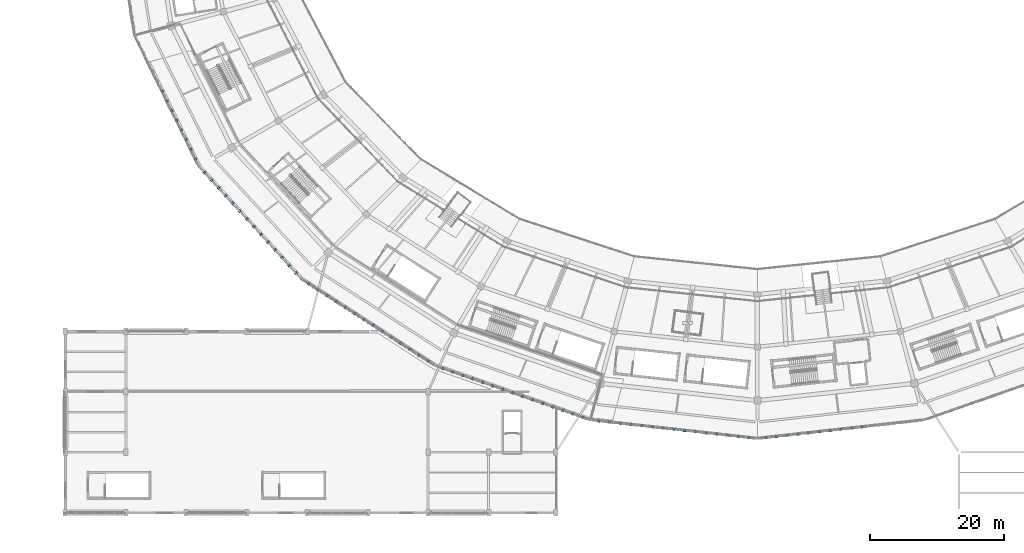
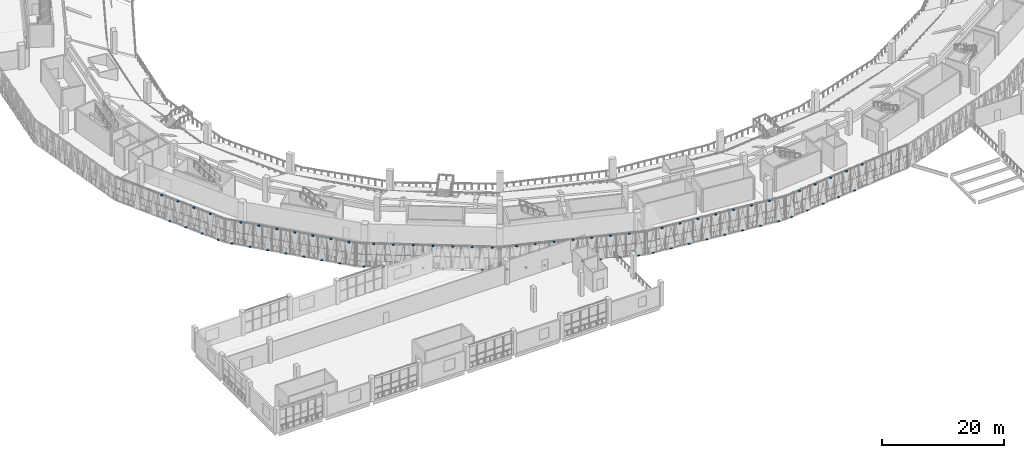
# One storey, part 105 of 152: 76 discrete accessories.
"""IFC4 building model written with IfcOpenShell, lengths in metres."""

from ifc_helpers import new_model, si_unit, direction, frame, origin, origin_2d, place, context, subcontext, project, spatial, rectangle, extrude, material, layer, layer_set, type_object, element, save


model = new_model("IFC4")

# Units and contexts
model_context = context("Model", 3, precision=1e-05, world=origin(), true_north=direction((0.0, 1.0)))
body_context = subcontext(model_context, "Body", "Model", "MODEL_VIEW")
ifc_project = project(units=[si_unit("LENGTHUNIT", "METRE"), si_unit("AREAUNIT", "SQUARE_METRE"), si_unit("VOLUMEUNIT", "CUBIC_METRE"), si_unit("PLANEANGLEUNIT", "RADIAN"), si_unit("MASSUNIT", "GRAM", prefix="KILO")], contexts=[model_context])

# Site, building, storey
site_placement = place(None, origin())
site = spatial("IfcSite", under=ifc_project, at=site_placement, CompositionType="ELEMENT")
building_placement = place(site_placement, origin())
building = spatial("IfcBuilding", under=site, at=building_placement, Name="Zevraka Park Crest Stadium", CompositionType="ELEMENT")
storey_placement = place(building_placement, frame((0.0, 0.0, 15.0)))
storey = spatial("IfcBuildingStorey", under=building, at=storey_placement, Name="L03", CompositionType="ELEMENT", Elevation=15.0)

# Discrete accessories
ifc_material = material(Name="Galvanised steel bracketry", Category="steel")
ifc_layer = layer(ifc_material, 0.1201171875)
ifc_layer_set = layer_set([ifc_layer], Name="Galvanised steel bracketry")
discrete_accessory_type = type_object("IfcDiscreteAccessoryType", Name="BRK01", PredefinedType="BRACKET", material=ifc_layer_set)
for number, where, z_axis, x_axis, name in (
    (1, (23.4130859375, 62.735107421875, 4.39990234375), (0.0, 0.0, 1.0), (0.440722679139, -0.897643314515, 0.0), "Bronze Screen Carrier Bracket BRK01 L03-13-6"),
    (2, (24.1201171875, 61.2939453125, -0.16015625), (0.0, 0.0, 1.0), (0.440722679139, -0.897643314515, 0.0), "Bronze Screen Carrier Bracket BRK01 L03-13-7"),
    (3, (24.827880859375, 59.85302734375, 4.39990234375), (0.0, 0.0, 1.0), (0.440722679139, -0.897643314515, 0.0), "Bronze Screen Carrier Bracket BRK01 L03-13-8"),
    (4, (25.534912109375, 58.4130859375, -0.16015625), (0.0, 0.0, 1.0), (0.440722679139, -0.897643314515, 0.0), "Bronze Screen Carrier Bracket BRK01 L03-13-9"),
    (5, (26.241943359375, 56.971923828125, 4.39990234375), (0.0, 0.0, 1.0), (0.440722679139, -0.897643314515, 0.0), "Bronze Screen Carrier Bracket BRK01 L03-13-10"),
    (6, (26.949951171875, 55.531982421875, -0.16015625), (0.0, 0.0, 1.0), (0.440722679139, -0.897643314515, 0.0), "Bronze Screen Carrier Bracket BRK01 L03-13-11"),
    (7, (27.656982421875, 54.091064453125, 4.39990234375), (0.0, 0.0, 1.0), (0.440722679139, -0.897643314515, 0.0), "Bronze Screen Carrier Bracket BRK01 L03-13-12"),
    (8, (28.364013671875, 52.64990234375, -0.16015625), (0.0, 0.0, 1.0), (0.440722679139, -0.897643314515, 0.0), "Bronze Screen Carrier Bracket BRK01 L03-13-13"),
    (9, (29.73193359375, 50.632080078125, -0.16015625), (0.0, 0.0, 1.0), (0.672754292556, -0.739865975598, 0.0), "Bronze Screen Carrier Bracket BRK01 L03-14-1"),
    (10, (30.778076171875, 49.48095703125, 4.39990234375), (0.0, 0.0, 1.0), (0.672754292556, -0.739865975598, 0.0), "Bronze Screen Carrier Bracket BRK01 L03-14-2"),
    (11, (31.824951171875, 48.330078125, -0.16015625), (0.0, 0.0, 1.0), (0.672754292556, -0.739865975598, 0.0), "Bronze Screen Carrier Bracket BRK01 L03-14-3"),
    (12, (32.87109375, 47.179931640625, 4.39990234375), (0.0, 0.0, 1.0), (0.672754292556, -0.739865975598, 0.0), "Bronze Screen Carrier Bracket BRK01 L03-14-4"),
    (13, (33.91796875, 46.029052734375, -0.16015625), (0.0, 0.0, 1.0), (0.672754292556, -0.739865975598, 0.0), "Bronze Screen Carrier Bracket BRK01 L03-14-5"),
    (14, (34.964111328125, 44.8779296875, 4.39990234375), (0.0, 0.0, 1.0), (0.672754292556, -0.739865975598, 0.0), "Bronze Screen Carrier Bracket BRK01 L03-14-6"),
    (15, (36.010986328125, 43.72705078125, -0.16015625), (0.0, 0.0, 1.0), (0.672754292556, -0.739865975598, 0.0), "Bronze Screen Carrier Bracket BRK01 L03-14-7"),
    (16, (37.056884765625, 42.576904296875, 4.39990234375), (0.0, 0.0, 1.0), (0.672754292556, -0.739865975598, 0.0), "Bronze Screen Carrier Bracket BRK01 L03-14-8"),
    (17, (38.10400390625, 41.426025390625, -0.16015625), (0.0, 0.0, 1.0), (0.672754292556, -0.739865975598, 0.0), "Bronze Screen Carrier Bracket BRK01 L03-14-9"),
    (18, (39.14990234375, 40.27490234375, 4.39990234375), (0.0, 0.0, 1.0), (0.672754292556, -0.739865975598, 0.0), "Bronze Screen Carrier Bracket BRK01 L03-14-10"),
    (19, (40.197021484375, 39.1240234375, -0.16015625), (0.0, 0.0, 1.0), (0.672754292556, -0.739865975598, 0.0), "Bronze Screen Carrier Bracket BRK01 L03-14-11"),
    (20, (41.242919921875, 37.97412109375, 4.39990234375), (0.0, 0.0, 1.0), (0.672754292556, -0.739865975598, 0.0), "Bronze Screen Carrier Bracket BRK01 L03-14-12"),
    (21, (42.2900390625, 36.822998046875, -0.16015625), (0.0, 0.0, 1.0), (0.672754292556, -0.739865975598, 0.0), "Bronze Screen Carrier Bracket BRK01 L03-14-13"),
    (22, (43.3359375, 35.672119140625, 4.39990234375), (0.0, 0.0, 1.0), (0.672754292556, -0.739865975598, 0.0), "Bronze Screen Carrier Bracket BRK01 L03-14-14"),
    (23, (45.2119140625, 34.0869140625, -0.16015625), (0.0, 0.0, 1.0), (0.839430209734, -0.543467499475, 0.0), "Bronze Screen Carrier Bracket BRK01 L03-15-1"),
    (24, (46.577880859375, 33.202880859375, 4.39990234375), (0.0, 0.0, 1.0), (0.839430209734, -0.543467499475, 0.0), "Bronze Screen Carrier Bracket BRK01 L03-15-2"),
    (25, (47.944091796875, 32.318115234375, -0.16015625), (0.0, 0.0, 1.0), (0.839430209734, -0.543467499475, 0.0), "Bronze Screen Carrier Bracket BRK01 L03-15-3"),
    (26, (49.31005859375, 31.43408203125, 4.39990234375), (0.0, 0.0, 1.0), (0.839430209734, -0.543467499475, 0.0), "Bronze Screen Carrier Bracket BRK01 L03-15-4"),
    (27, (50.677001953125, 30.549072265625, -0.16015625), (0.0, 0.0, 1.0), (0.839430209734, -0.543467499475, 0.0), "Bronze Screen Carrier Bracket BRK01 L03-15-5"),
    (28, (52.04296875, 29.6650390625, 4.39990234375), (0.0, 0.0, 1.0), (0.839430209734, -0.543467499475, 0.0), "Bronze Screen Carrier Bracket BRK01 L03-15-6"),
    (29, (53.408935546875, 28.780029296875, -0.16015625), (0.0, 0.0, 1.0), (0.839430209734, -0.543467499475, 0.0), "Bronze Screen Carrier Bracket BRK01 L03-15-7"),
    (30, (54.77490234375, 27.89599609375, 4.39990234375), (0.0, 0.0, 1.0), (0.839430209734, -0.543467499475, 0.0), "Bronze Screen Carrier Bracket BRK01 L03-15-8"),
    (31, (56.14111328125, 27.010986328125, -0.16015625), (0.0, 0.0, 1.0), (0.839430209734, -0.543467499475, 0.0), "Bronze Screen Carrier Bracket BRK01 L03-15-9"),
    (32, (57.507080078125, 26.126953125, 4.39990234375), (0.0, 0.0, 1.0), (0.839430209734, -0.543467499475, 0.0), "Bronze Screen Carrier Bracket BRK01 L03-15-10"),
    (33, (58.8740234375, 25.241943359375, -0.16015625), (0.0, 0.0, 1.0), (0.839430209734, -0.543467499475, 0.0), "Bronze Screen Carrier Bracket BRK01 L03-15-11"),
    (34, (60.239990234375, 24.35791015625, 4.39990234375), (0.0, 0.0, 1.0), (0.839430209734, -0.543467499475, 0.0), "Bronze Screen Carrier Bracket BRK01 L03-15-12"),
    (35, (61.60595703125, 23.472900390625, -0.16015625), (0.0, 0.0, 1.0), (0.839430209734, -0.543467499475, 0.0), "Bronze Screen Carrier Bracket BRK01 L03-15-13"),
    (36, (62.971923828125, 22.589111328125, 4.39990234375), (0.0, 0.0, 1.0), (0.839430209734, -0.543467499475, 0.0), "Bronze Screen Carrier Bracket BRK01 L03-15-14"),
    (37, (65.18798828125, 21.5009765625, -0.16015625), (0.0, 0.0, 1.0), (0.944031464141, -0.329855414859, 0.0), "Bronze Screen Carrier Bracket BRK01 L03-16-1"),
    (38, (66.675048828125, 20.98095703125, 4.39990234375), (0.0, 0.0, 1.0), (0.944031464141, -0.329855414859, 0.0), "Bronze Screen Carrier Bracket BRK01 L03-16-2"),
    (39, (68.162109375, 20.4609375, -0.16015625), (0.0, 0.0, 1.0), (0.944031464141, -0.329855414859, 0.0), "Bronze Screen Carrier Bracket BRK01 L03-16-3"),
    (40, (69.64892578125, 19.94189453125, 4.39990234375), (0.0, 0.0, 1.0), (0.944031464141, -0.329855414859, 0.0), "Bronze Screen Carrier Bracket BRK01 L03-16-4"),
    (41, (71.135986328125, 19.422119140625, -0.16015625), (0.0, 0.0, 1.0), (0.944031464141, -0.329855414859, 0.0), "Bronze Screen Carrier Bracket BRK01 L03-16-5"),
    (42, (72.623046875, 18.902099609375, 4.39990234375), (0.0, 0.0, 1.0), (0.944031464141, -0.329855414859, 0.0), "Bronze Screen Carrier Bracket BRK01 L03-16-6"),
    (43, (74.110107421875, 18.383056640625, -0.16015625), (0.0, 0.0, 1.0), (0.944031464141, -0.329855414859, 0.0), "Bronze Screen Carrier Bracket BRK01 L03-16-7"),
    (44, (75.596923828125, 17.863037109375, 4.39990234375), (0.0, 0.0, 1.0), (0.944031464141, -0.329855414859, 0.0), "Bronze Screen Carrier Bracket BRK01 L03-16-8"),
    (45, (77.0830078125, 17.343017578125, -0.16015625), (0.0, 0.0, 1.0), (0.944031464141, -0.329855414859, 0.0), "Bronze Screen Carrier Bracket BRK01 L03-16-9"),
    (46, (78.570068359375, 16.823974609375, 4.39990234375), (0.0, 0.0, 1.0), (0.944031464141, -0.329855414859, 0.0), "Bronze Screen Carrier Bracket BRK01 L03-16-10"),
    (47, (80.056884765625, 16.303955078125, -0.16015625), (0.0, 0.0, 1.0), (0.944031464141, -0.329855414859, 0.0), "Bronze Screen Carrier Bracket BRK01 L03-16-11"),
    (48, (81.5439453125, 15.783935546875, 4.39990234375), (0.0, 0.0, 1.0), (0.944031464141, -0.329855414859, 0.0), "Bronze Screen Carrier Bracket BRK01 L03-16-12"),
    (49, (83.031005859375, 15.264892578125, -0.16015625), (0.0, 0.0, 1.0), (0.944031464141, -0.329855414859, 0.0), "Bronze Screen Carrier Bracket BRK01 L03-16-13"),
    (50, (84.51806640625, 14.7451171875, 4.39990234375), (0.0, 0.0, 1.0), (0.944031464141, -0.329855414859, 0.0), "Bronze Screen Carrier Bracket BRK01 L03-16-14"),
    (51, (86.0048828125, 14.22509765625, -0.16015625), (0.0, 0.0, 1.0), (0.944031464141, -0.329855414859, 0.0), "Bronze Screen Carrier Bracket BRK01 L03-16-15"),
    (52, (88.406005859375, 13.681884765625, -0.16015625), (0.0, 0.0, 1.0), (0.993884104238, -0.110428199945, 0.0), "Bronze Screen Carrier Bracket BRK01 L03-17-1"),
    (53, (90.001953125, 13.50390625, 4.39990234375), (0.0, 0.0, 1.0), (0.993884104238, -0.110428199945, 0.0), "Bronze Screen Carrier Bracket BRK01 L03-17-2"),
    (54, (91.59912109375, 13.326904296875, -0.16015625), (0.0, 0.0, 1.0), (0.993884104238, -0.110428199945, 0.0), "Bronze Screen Carrier Bracket BRK01 L03-17-3"),
    (55, (93.196044921875, 13.14990234375, 4.39990234375), (0.0, 0.0, 1.0), (0.993884104238, -0.110428199945, 0.0), "Bronze Screen Carrier Bracket BRK01 L03-17-4"),
    (56, (94.79296875, 12.971923828125, -0.16015625), (0.0, 0.0, 1.0), (0.993884104238, -0.110428199945, 0.0), "Bronze Screen Carrier Bracket BRK01 L03-17-5"),
    (57, (96.389892578125, 12.794921875, 4.39990234375), (0.0, 0.0, 1.0), (0.993884104238, -0.110428199945, 0.0), "Bronze Screen Carrier Bracket BRK01 L03-17-6"),
    (58, (97.987060546875, 12.616943359375, -0.16015625), (0.0, 0.0, 1.0), (0.993884104238, -0.110428199945, 0.0), "Bronze Screen Carrier Bracket BRK01 L03-17-7"),
    (59, (99.583984375, 12.43994140625, 4.39990234375), (0.0, 0.0, 1.0), (0.993884104238, -0.110428199945, 0.0), "Bronze Screen Carrier Bracket BRK01 L03-17-8"),
    (60, (101.179931640625, 12.262939453125, -0.16015625), (0.0, 0.0, 1.0), (0.993884104238, -0.110428199945, 0.0), "Bronze Screen Carrier Bracket BRK01 L03-17-9"),
    (61, (102.777099609375, 12.0849609375, 4.39990234375), (0.0, 0.0, 1.0), (0.993884104238, -0.110428199945, 0.0), "Bronze Screen Carrier Bracket BRK01 L03-17-10"),
    (62, (104.3740234375, 11.907958984375, -0.16015625), (0.0, 0.0, 1.0), (0.993884104238, -0.110428199945, 0.0), "Bronze Screen Carrier Bracket BRK01 L03-17-11"),
    (63, (105.970947265625, 11.72998046875, 4.39990234375), (0.0, 0.0, 1.0), (0.993884104238, -0.110428199945, 0.0), "Bronze Screen Carrier Bracket BRK01 L03-17-12"),
    (64, (107.568115234375, 11.552978515625, -0.16015625), (0.0, 0.0, 1.0), (0.993884104238, -0.110428199945, 0.0), "Bronze Screen Carrier Bracket BRK01 L03-17-13"),
    (65, (109.1650390625, 11.3759765625, 4.39990234375), (0.0, 0.0, 1.0), (0.993884104238, -0.110428199945, 0.0), "Bronze Screen Carrier Bracket BRK01 L03-17-14"),
    (66, (110.760986328125, 11.197998046875, -0.16015625), (0.0, 0.0, 1.0), (0.993884104238, -0.110428199945, 0.0), "Bronze Screen Carrier Bracket BRK01 L03-17-15"),
    (67, (113.239013671875, 11.197998046875, -0.16015625), (0.0, 0.0, 1.0), (0.993884104238, 0.110428199945, 0.0), "Bronze Screen Carrier Bracket BRK01 L03-18-1"),
    (68, (114.8349609375, 11.3759765625, 4.39990234375), (0.0, 0.0, 1.0), (0.993884104238, 0.110428199945, 0.0), "Bronze Screen Carrier Bracket BRK01 L03-18-2"),
    (69, (116.431884765625, 11.552978515625, -0.16015625), (0.0, 0.0, 1.0), (0.993884104238, 0.110428199945, 0.0), "Bronze Screen Carrier Bracket BRK01 L03-18-3"),
    (70, (118.029052734375, 11.72998046875, 4.39990234375), (0.0, 0.0, 1.0), (0.993884104238, 0.110428199945, 0.0), "Bronze Screen Carrier Bracket BRK01 L03-18-4"),
    (71, (119.6259765625, 11.907958984375, -0.16015625), (0.0, 0.0, 1.0), (0.993884104238, 0.110428199945, 0.0), "Bronze Screen Carrier Bracket BRK01 L03-18-5"),
    (72, (121.222900390625, 12.0849609375, 4.39990234375), (0.0, 0.0, 1.0), (0.993884104238, 0.110428199945, 0.0), "Bronze Screen Carrier Bracket BRK01 L03-18-6"),
    (73, (122.820068359375, 12.262939453125, -0.16015625), (0.0, 0.0, 1.0), (0.993884104238, 0.110428199945, 0.0), "Bronze Screen Carrier Bracket BRK01 L03-18-7"),
    (74, (124.4169921875, 12.43994140625, 4.39990234375), (0.0, 0.0, 1.0), (0.993884104238, 0.110428199945, 0.0), "Bronze Screen Carrier Bracket BRK01 L03-18-8"),
    (75, (126.012939453125, 12.616943359375, -0.16015625), (0.0, 0.0, 1.0), (0.993884104238, 0.110428199945, 0.0), "Bronze Screen Carrier Bracket BRK01 L03-18-9"),
    (76, (127.610107421875, 12.794921875, 4.39990234375), (0.0, 0.0, 1.0), (0.993884104238, 0.110428199945, 0.0), "Bronze Screen Carrier Bracket BRK01 L03-18-10"),
):
    element("IfcDiscreteAccessory", number, at=place(storey_placement, frame(where, z_axis=z_axis, x_axis=x_axis)), inside=storey, type_object=discrete_accessory_type, Name=name, PredefinedType="BRACKET", context=body_context, shape_type="SweptSolid", body=[
        extrude(rectangle(XDim=0.320068359375, YDim=0.360107421875, at=origin_2d()), origin(), (0.0, 0.0, 1.0), 0.159912109375),
    ])

save(model, "model.ifc")
